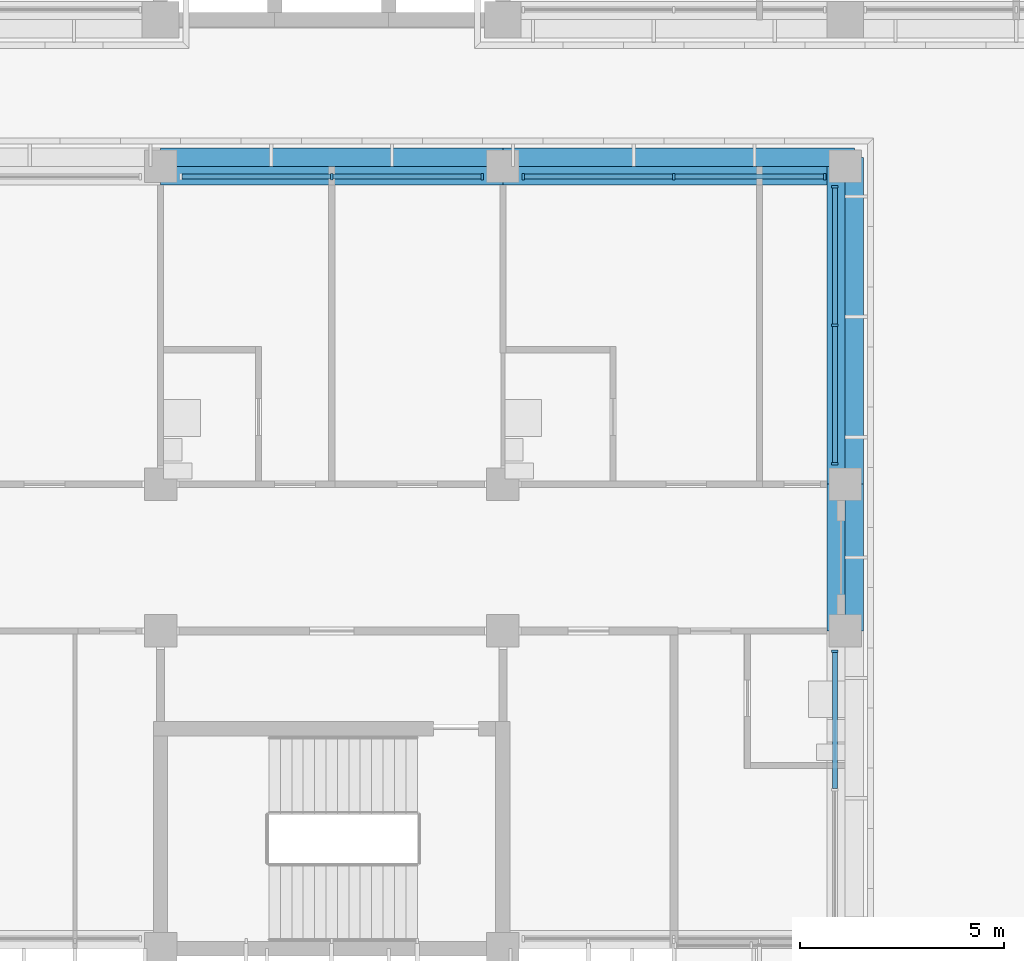
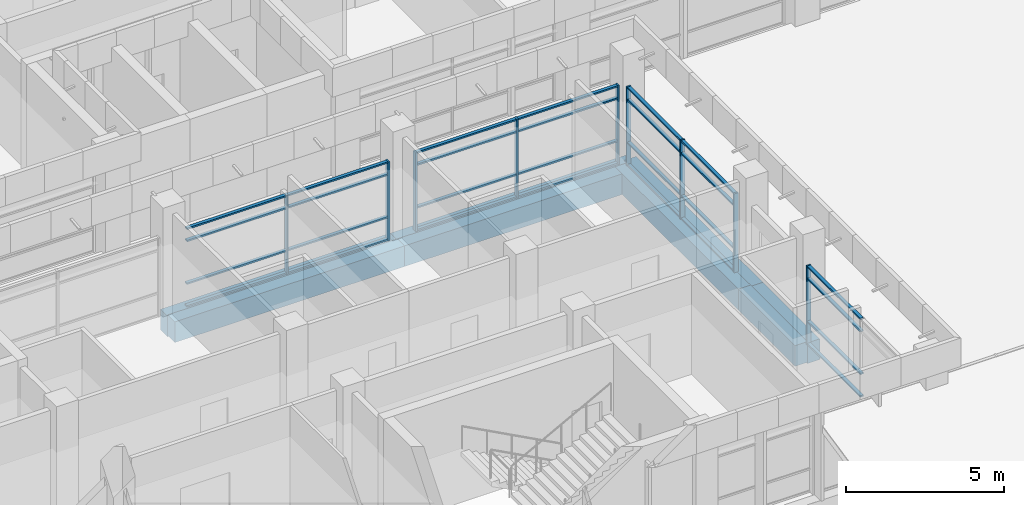
# One storey, part 32 of 137: 37 members, 8 beams, 4 elements without a shape of their own.
"""IFC4 building model written with IfcOpenShell, lengths in metres."""

from ifc_helpers import new_model, si_unit, direction, frame, origin, origin_2d, place, context, subcontext, project, spatial, rectangle, extrude, material, material_profile, profile_set, type_object, element, aggregate, save


model = new_model("IFC4")

# Units and contexts
model_context = context("Model", 3, precision=1e-05, world=origin(), true_north=direction((0.0, 1.0)))
body_context = subcontext(model_context, "Body", "Model", "MODEL_VIEW")
ifc_project = project(units=[si_unit("LENGTHUNIT", "METRE"), si_unit("AREAUNIT", "SQUARE_METRE"), si_unit("VOLUMEUNIT", "CUBIC_METRE"), si_unit("PLANEANGLEUNIT", "RADIAN"), si_unit("MASSUNIT", "GRAM", prefix="KILO")], contexts=[model_context])

# Site, building, storey
site_placement = place(None, origin())
site = spatial("IfcSite", under=ifc_project, at=site_placement, CompositionType="ELEMENT")
building_placement = place(site_placement, origin())
building = spatial("IfcBuilding", under=site, at=building_placement, Name="Bougainvillea Quay General Hospital", CompositionType="ELEMENT")
storey_placement = place(building_placement, frame((0.0, 0.0, 16.800048828125)))
storey = spatial("IfcBuildingStorey", under=building, at=storey_placement, Name="L03", CompositionType="ELEMENT", Elevation=16.800048828125)

# Curtain wall, member
ifc_material_1 = material(Name="Aluminium curtain wall system, powder-coated glazed", Category="aluminium")
curtain_wall_type_1 = type_object("IfcCurtainWallType", Name="Unitised curtain wall CW-3430", PredefinedType="NOTDEFINED", material=ifc_material_1)
curtain_wall_1_placement = place(storey_placement, origin())
curtain_wall_1 = element("IfcCurtainWall", 1, at=curtain_wall_1_placement, inside=storey, type_object=curtain_wall_type_1, Name="CW-4200 00", PredefinedType="NOTDEFINED")
ifc_material_2 = material(Name="Aluminium mullion, powder-coated charcoal", Category="aluminium")
ifc_material_profile_1 = material_profile(ifc_material_2, rectangle(XDim=0.159912109375, YDim=0.06005859375, at=origin_2d()))
ifc_profile_set_1 = profile_set([ifc_material_profile_1], Name="Aluminium mullion, powder-coated charcoal")
member_type_1 = type_object("IfcMemberType", Name="Curtain wall mullion 160x60", PredefinedType="MULLION", material=ifc_profile_set_1)
member_1_placement = place(storey_placement, frame((167.75, 124.89990234375, 0.0), z_axis=(0.0, 0.0, 1.0), x_axis=(-1.0, 0.0, 0.0)))
member_1 = element("IfcMember", 2, at=member_1_placement, type_object=member_type_1, Name="CW-4200 mullion 3", PredefinedType="MULLION", context=body_context, shape_type="SweptSolid", body=[
    extrude(rectangle(XDim=0.159912109375, YDim=0.06005859375, at=origin_2d()), origin(), (0.0, 0.0, 1.0), 3.050048828125),
])

# Curtain wall, members
curtain_wall_2_placement = place(storey_placement, origin())
curtain_wall_2 = element("IfcCurtainWall", 3, at=curtain_wall_2_placement, inside=storey, type_object=curtain_wall_type_1, Name="CW-4200 02", PredefinedType="NOTDEFINED")
member_2_placement = place(storey_placement, frame((167.75, 129.5, 0.0), z_axis=(0.0, 0.0, 1.0), x_axis=(-1.0, 0.0, 0.0)))
member_2 = element("IfcMember", 4, at=member_2_placement, type_object=member_type_1, Name="CW-4200 mullion 1", PredefinedType="MULLION", context=body_context, shape_type="SweptSolid", body=[
    extrude(rectangle(XDim=0.159912109375, YDim=0.06005859375, at=origin_2d()), origin(), (0.0, 0.0, 1.0), 3.050048828125),
])
member_3_placement = place(storey_placement, frame((167.75, 132.89990234375, 0.0), z_axis=(0.0, 0.0, 1.0), x_axis=(-1.0, 0.0, 0.0)))
member_3 = element("IfcMember", 5, at=member_3_placement, type_object=member_type_1, Name="CW-4200 mullion 2", PredefinedType="MULLION", context=body_context, shape_type="SweptSolid", body=[
    extrude(rectangle(XDim=0.159912109375, YDim=0.06005859375, at=origin_2d()), origin(), (0.0, 0.0, 1.0), 3.050048828125),
])
member_4_placement = place(storey_placement, frame((167.75, 136.300048828125, 0.0), z_axis=(0.0, 0.0, 1.0), x_axis=(-1.0, 0.0, 0.0)))
member_4 = element("IfcMember", 6, at=member_4_placement, type_object=member_type_1, Name="CW-4200 mullion 3", PredefinedType="MULLION", context=body_context, shape_type="SweptSolid", body=[
    extrude(rectangle(XDim=0.159912109375, YDim=0.06005859375, at=origin_2d()), origin(), (0.0, 0.0, 1.0), 3.050048828125),
])

curtain_wall_type_2 = type_object("IfcCurtainWallType", Name="Unitised curtain wall CW-3730", PredefinedType="NOTDEFINED", material=ifc_material_1)
curtain_wall_3_placement = place(storey_placement, origin())
curtain_wall_3 = element("IfcCurtainWall", 7, at=curtain_wall_3_placement, inside=storey, type_object=curtain_wall_type_2, Name="CW-4200 00", PredefinedType="NOTDEFINED")
member_5_placement = place(storey_placement, frame((167.5, 136.550048828125, 0.0), z_axis=(0.0, 0.0, 1.0), x_axis=(0.0, -1.0, 0.0)))
member_5 = element("IfcMember", 8, at=member_5_placement, type_object=member_type_1, Name="CW-4200 mullion 1", PredefinedType="MULLION", context=body_context, shape_type="SweptSolid", body=[
    extrude(rectangle(XDim=0.159912109375, YDim=0.06005859375, at=origin_2d()), origin(), (0.0, 0.0, 1.0), 3.050048828125),
])
member_6_placement = place(storey_placement, frame((163.800048828125, 136.550048828125, 0.0), z_axis=(0.0, 0.0, 1.0), x_axis=(0.0, -1.0, 0.0)))
member_6 = element("IfcMember", 9, at=member_6_placement, type_object=member_type_1, Name="CW-4200 mullion 2", PredefinedType="MULLION", context=body_context, shape_type="SweptSolid", body=[
    extrude(rectangle(XDim=0.159912109375, YDim=0.06005859375, at=origin_2d()), origin(), (0.0, 0.0, 1.0), 3.050048828125),
])
member_7_placement = place(storey_placement, frame((160.10009765625, 136.550048828125, 0.0), z_axis=(0.0, 0.0, 1.0), x_axis=(0.0, -1.0, 0.0)))
member_7 = element("IfcMember", 10, at=member_7_placement, type_object=member_type_1, Name="CW-4200 mullion 3", PredefinedType="MULLION", context=body_context, shape_type="SweptSolid", body=[
    extrude(rectangle(XDim=0.159912109375, YDim=0.06005859375, at=origin_2d()), origin(), (0.0, 0.0, 1.0), 3.050048828125),
])

curtain_wall_4_placement = place(storey_placement, origin())
curtain_wall_4 = element("IfcCurtainWall", 11, at=curtain_wall_4_placement, inside=storey, type_object=curtain_wall_type_2, Name="CW-4200 01", PredefinedType="NOTDEFINED")
member_8_placement = place(storey_placement, frame((159.10009765625, 136.550048828125, 0.0), z_axis=(0.0, 0.0, 1.0), x_axis=(0.0, -1.0, 0.0)))
member_8 = element("IfcMember", 12, at=member_8_placement, type_object=member_type_1, Name="CW-4200 mullion 1", PredefinedType="MULLION", context=body_context, shape_type="SweptSolid", body=[
    extrude(rectangle(XDim=0.159912109375, YDim=0.06005859375, at=origin_2d()), origin(), (0.0, 0.0, 1.0), 3.050048828125),
])
member_9_placement = place(storey_placement, frame((155.39990234375, 136.550048828125, 0.0), z_axis=(0.0, 0.0, 1.0), x_axis=(0.0, -1.0, 0.0)))
member_9 = element("IfcMember", 13, at=member_9_placement, type_object=member_type_1, Name="CW-4200 mullion 2", PredefinedType="MULLION", context=body_context, shape_type="SweptSolid", body=[
    extrude(rectangle(XDim=0.159912109375, YDim=0.06005859375, at=origin_2d()), origin(), (0.0, 0.0, 1.0), 3.050048828125),
])

# Member
ifc_material_3 = material(Name="Aluminium transom, powder-coated charcoal", Category="aluminium")
ifc_material_profile_2 = material_profile(ifc_material_3, rectangle(XDim=0.1201171875, YDim=0.06005859375, at=origin_2d()))
ifc_profile_set_2 = profile_set([ifc_material_profile_2], Name="Aluminium transom, powder-coated charcoal")
member_type_2 = type_object("IfcMemberType", Name="Curtain wall transom 120x60", PredefinedType="USERDEFINED", material=ifc_profile_set_2)
member_10_placement = place(storey_placement, frame((167.75, 121.530029296875, 0.030029296875), z_axis=(0.0, 1.0, 0.0), x_axis=(-1.0, 0.0, 0.0)))
member_10 = element("IfcMember", 14, at=member_10_placement, type_object=member_type_2, Name="CW-4200 transom 2.1", ObjectType="TRANSOM", PredefinedType="USERDEFINED", context=body_context, shape_type="SweptSolid", body=[
    extrude(rectangle(XDim=0.1201171875, YDim=0.06005859375, at=origin_2d()), origin(), (0.0, 0.0, 1.0), 3.340087890625),
])

member_11_placement = place(storey_placement, frame((167.75, 121.530029296875, 0.89990234375), z_axis=(0.0, 1.0, 0.0), x_axis=(-1.0, 0.0, 0.0)))
member_11 = element("IfcMember", 15, at=member_11_placement, type_object=member_type_2, Name="CW-4200 transom 2.2", ObjectType="TRANSOM", PredefinedType="USERDEFINED", context=body_context, shape_type="SweptSolid", body=[
    extrude(rectangle(XDim=0.1201171875, YDim=0.06005859375, at=origin_2d()), origin(), (0.0, 0.0, 1.0), 3.340087890625),
])

member_12_placement = place(storey_placement, frame((167.75, 121.530029296875, 2.550048828125), z_axis=(0.0, 1.0, 0.0), x_axis=(-1.0, 0.0, 0.0)))
member_12 = element("IfcMember", 16, at=member_12_placement, type_object=member_type_2, Name="CW-4200 transom 2.3", ObjectType="TRANSOM", PredefinedType="USERDEFINED", context=body_context, shape_type="SweptSolid", body=[
    extrude(rectangle(XDim=0.1201171875, YDim=0.06005859375, at=origin_2d()), origin(), (0.0, 0.0, 1.0), 3.340087890625),
])

member_13_placement = place(storey_placement, frame((167.75, 121.530029296875, 3.02001953125), z_axis=(0.0, 1.0, 0.0), x_axis=(-1.0, 0.0, 0.0)))
member_13 = element("IfcMember", 17, at=member_13_placement, type_object=member_type_2, Name="CW-4200 transom 2.4", ObjectType="TRANSOM", PredefinedType="USERDEFINED", context=body_context, shape_type="SweptSolid", body=[
    extrude(rectangle(XDim=0.1201171875, YDim=0.06005859375, at=origin_2d()), origin(), (0.0, 0.0, 1.0), 3.340087890625),
])

aggregate(curtain_wall_1, [member_1, member_10, member_11, member_12, member_13])

member_14_placement = place(storey_placement, frame((167.75, 129.530029296875, 0.030029296875), z_axis=(0.0, 1.0, 0.0), x_axis=(-1.0, 0.0, 0.0)))
member_14 = element("IfcMember", 18, at=member_14_placement, type_object=member_type_2, Name="CW-4200 transom 1.1", ObjectType="TRANSOM", PredefinedType="USERDEFINED", context=body_context, shape_type="SweptSolid", body=[
    extrude(rectangle(XDim=0.1201171875, YDim=0.06005859375, at=origin_2d()), origin(), (0.0, 0.0, 1.0), 3.340087890625),
])

member_15_placement = place(storey_placement, frame((167.75, 129.530029296875, 0.89990234375), z_axis=(0.0, 1.0, 0.0), x_axis=(-1.0, 0.0, 0.0)))
member_15 = element("IfcMember", 19, at=member_15_placement, type_object=member_type_2, Name="CW-4200 transom 1.2", ObjectType="TRANSOM", PredefinedType="USERDEFINED", context=body_context, shape_type="SweptSolid", body=[
    extrude(rectangle(XDim=0.1201171875, YDim=0.06005859375, at=origin_2d()), origin(), (0.0, 0.0, 1.0), 3.340087890625),
])

member_16_placement = place(storey_placement, frame((167.75, 129.530029296875, 2.550048828125), z_axis=(0.0, 1.0, 0.0), x_axis=(-1.0, 0.0, 0.0)))
member_16 = element("IfcMember", 20, at=member_16_placement, type_object=member_type_2, Name="CW-4200 transom 1.3", ObjectType="TRANSOM", PredefinedType="USERDEFINED", context=body_context, shape_type="SweptSolid", body=[
    extrude(rectangle(XDim=0.1201171875, YDim=0.06005859375, at=origin_2d()), origin(), (0.0, 0.0, 1.0), 3.340087890625),
])

member_17_placement = place(storey_placement, frame((167.75, 129.530029296875, 3.02001953125), z_axis=(0.0, 1.0, 0.0), x_axis=(-1.0, 0.0, 0.0)))
member_17 = element("IfcMember", 21, at=member_17_placement, type_object=member_type_2, Name="CW-4200 transom 1.4", ObjectType="TRANSOM", PredefinedType="USERDEFINED", context=body_context, shape_type="SweptSolid", body=[
    extrude(rectangle(XDim=0.1201171875, YDim=0.06005859375, at=origin_2d()), origin(), (0.0, 0.0, 1.0), 3.340087890625),
])

member_18_placement = place(storey_placement, frame((167.75, 132.929931640625, 0.030029296875), z_axis=(0.0, 1.0, 0.0), x_axis=(-1.0, 0.0, 0.0)))
member_18 = element("IfcMember", 22, at=member_18_placement, type_object=member_type_2, Name="CW-4200 transom 2.1", ObjectType="TRANSOM", PredefinedType="USERDEFINED", context=body_context, shape_type="SweptSolid", body=[
    extrude(rectangle(XDim=0.1201171875, YDim=0.06005859375, at=origin_2d()), origin(), (0.0, 0.0, 1.0), 3.340087890625),
])

member_19_placement = place(storey_placement, frame((167.75, 132.929931640625, 0.89990234375), z_axis=(0.0, 1.0, 0.0), x_axis=(-1.0, 0.0, 0.0)))
member_19 = element("IfcMember", 23, at=member_19_placement, type_object=member_type_2, Name="CW-4200 transom 2.2", ObjectType="TRANSOM", PredefinedType="USERDEFINED", context=body_context, shape_type="SweptSolid", body=[
    extrude(rectangle(XDim=0.1201171875, YDim=0.06005859375, at=origin_2d()), origin(), (0.0, 0.0, 1.0), 3.340087890625),
])

member_20_placement = place(storey_placement, frame((167.75, 132.929931640625, 2.550048828125), z_axis=(0.0, 1.0, 0.0), x_axis=(-1.0, 0.0, 0.0)))
member_20 = element("IfcMember", 24, at=member_20_placement, type_object=member_type_2, Name="CW-4200 transom 2.3", ObjectType="TRANSOM", PredefinedType="USERDEFINED", context=body_context, shape_type="SweptSolid", body=[
    extrude(rectangle(XDim=0.1201171875, YDim=0.06005859375, at=origin_2d()), origin(), (0.0, 0.0, 1.0), 3.340087890625),
])

member_21_placement = place(storey_placement, frame((167.75, 132.929931640625, 3.02001953125), z_axis=(0.0, 1.0, 0.0), x_axis=(-1.0, 0.0, 0.0)))
member_21 = element("IfcMember", 25, at=member_21_placement, type_object=member_type_2, Name="CW-4200 transom 2.4", ObjectType="TRANSOM", PredefinedType="USERDEFINED", context=body_context, shape_type="SweptSolid", body=[
    extrude(rectangle(XDim=0.1201171875, YDim=0.06005859375, at=origin_2d()), origin(), (0.0, 0.0, 1.0), 3.340087890625),
])

aggregate(curtain_wall_2, [member_2, member_3, member_4, member_14, member_15, member_16, member_17, member_18, member_19, member_20, member_21])

member_22_placement = place(storey_placement, frame((167.469970703125, 136.550048828125, 0.030029296875), z_axis=(-1.0, 0.0, 0.0), x_axis=(0.0, -1.0, 0.0)))
member_22 = element("IfcMember", 26, at=member_22_placement, type_object=member_type_2, Name="CW-4200 transom 1.1", ObjectType="TRANSOM", PredefinedType="USERDEFINED", context=body_context, shape_type="SweptSolid", body=[
    extrude(rectangle(XDim=0.1201171875, YDim=0.06005859375, at=origin_2d()), origin(), (0.0, 0.0, 1.0), 3.639892578125),
])

member_23_placement = place(storey_placement, frame((167.469970703125, 136.550048828125, 0.89990234375), z_axis=(-1.0, 0.0, 0.0), x_axis=(0.0, -1.0, 0.0)))
member_23 = element("IfcMember", 27, at=member_23_placement, type_object=member_type_2, Name="CW-4200 transom 1.2", ObjectType="TRANSOM", PredefinedType="USERDEFINED", context=body_context, shape_type="SweptSolid", body=[
    extrude(rectangle(XDim=0.1201171875, YDim=0.06005859375, at=origin_2d()), origin(), (0.0, 0.0, 1.0), 3.639892578125),
])

member_24_placement = place(storey_placement, frame((167.469970703125, 136.550048828125, 2.550048828125), z_axis=(-1.0, 0.0, 0.0), x_axis=(0.0, -1.0, 0.0)))
member_24 = element("IfcMember", 28, at=member_24_placement, type_object=member_type_2, Name="CW-4200 transom 1.3", ObjectType="TRANSOM", PredefinedType="USERDEFINED", context=body_context, shape_type="SweptSolid", body=[
    extrude(rectangle(XDim=0.1201171875, YDim=0.06005859375, at=origin_2d()), origin(), (0.0, 0.0, 1.0), 3.639892578125),
])

member_25_placement = place(storey_placement, frame((167.469970703125, 136.550048828125, 3.02001953125), z_axis=(-1.0, 0.0, 0.0), x_axis=(0.0, -1.0, 0.0)))
member_25 = element("IfcMember", 29, at=member_25_placement, type_object=member_type_2, Name="CW-4200 transom 1.4", ObjectType="TRANSOM", PredefinedType="USERDEFINED", context=body_context, shape_type="SweptSolid", body=[
    extrude(rectangle(XDim=0.1201171875, YDim=0.06005859375, at=origin_2d()), origin(), (0.0, 0.0, 1.0), 3.639892578125),
])

member_26_placement = place(storey_placement, frame((163.77001953125, 136.550048828125, 0.030029296875), z_axis=(-1.0, 0.0, 0.0), x_axis=(0.0, -1.0, 0.0)))
member_26 = element("IfcMember", 30, at=member_26_placement, type_object=member_type_2, Name="CW-4200 transom 2.1", ObjectType="TRANSOM", PredefinedType="USERDEFINED", context=body_context, shape_type="SweptSolid", body=[
    extrude(rectangle(XDim=0.1201171875, YDim=0.06005859375, at=origin_2d()), origin(), (0.0, 0.0, 1.0), 3.64013671875),
])

member_27_placement = place(storey_placement, frame((163.77001953125, 136.550048828125, 0.89990234375), z_axis=(-1.0, 0.0, 0.0), x_axis=(0.0, -1.0, 0.0)))
member_27 = element("IfcMember", 31, at=member_27_placement, type_object=member_type_2, Name="CW-4200 transom 2.2", ObjectType="TRANSOM", PredefinedType="USERDEFINED", context=body_context, shape_type="SweptSolid", body=[
    extrude(rectangle(XDim=0.1201171875, YDim=0.06005859375, at=origin_2d()), origin(), (0.0, 0.0, 1.0), 3.64013671875),
])

member_28_placement = place(storey_placement, frame((163.77001953125, 136.550048828125, 2.550048828125), z_axis=(-1.0, 0.0, 0.0), x_axis=(0.0, -1.0, 0.0)))
member_28 = element("IfcMember", 32, at=member_28_placement, type_object=member_type_2, Name="CW-4200 transom 2.3", ObjectType="TRANSOM", PredefinedType="USERDEFINED", context=body_context, shape_type="SweptSolid", body=[
    extrude(rectangle(XDim=0.1201171875, YDim=0.06005859375, at=origin_2d()), origin(), (0.0, 0.0, 1.0), 3.64013671875),
])

member_29_placement = place(storey_placement, frame((163.77001953125, 136.550048828125, 3.02001953125), z_axis=(-1.0, 0.0, 0.0), x_axis=(0.0, -1.0, 0.0)))
member_29 = element("IfcMember", 33, at=member_29_placement, type_object=member_type_2, Name="CW-4200 transom 2.4", ObjectType="TRANSOM", PredefinedType="USERDEFINED", context=body_context, shape_type="SweptSolid", body=[
    extrude(rectangle(XDim=0.1201171875, YDim=0.06005859375, at=origin_2d()), origin(), (0.0, 0.0, 1.0), 3.64013671875),
])

aggregate(curtain_wall_3, [member_5, member_6, member_7, member_22, member_23, member_24, member_25, member_26, member_27, member_28, member_29])

member_30_placement = place(storey_placement, frame((159.070068359375, 136.550048828125, 0.030029296875), z_axis=(-1.0, 0.0, 0.0), x_axis=(0.0, -1.0, 0.0)))
member_30 = element("IfcMember", 34, at=member_30_placement, type_object=member_type_2, Name="CW-4200 transom 1.1", ObjectType="TRANSOM", PredefinedType="USERDEFINED", context=body_context, shape_type="SweptSolid", body=[
    extrude(rectangle(XDim=0.1201171875, YDim=0.06005859375, at=origin_2d()), origin(), (0.0, 0.0, 1.0), 3.64013671875),
])

member_31_placement = place(storey_placement, frame((159.070068359375, 136.550048828125, 0.89990234375), z_axis=(-1.0, 0.0, 0.0), x_axis=(0.0, -1.0, 0.0)))
member_31 = element("IfcMember", 35, at=member_31_placement, type_object=member_type_2, Name="CW-4200 transom 1.2", ObjectType="TRANSOM", PredefinedType="USERDEFINED", context=body_context, shape_type="SweptSolid", body=[
    extrude(rectangle(XDim=0.1201171875, YDim=0.06005859375, at=origin_2d()), origin(), (0.0, 0.0, 1.0), 3.64013671875),
])

member_32_placement = place(storey_placement, frame((159.070068359375, 136.550048828125, 2.550048828125), z_axis=(-1.0, 0.0, 0.0), x_axis=(0.0, -1.0, 0.0)))
member_32 = element("IfcMember", 36, at=member_32_placement, type_object=member_type_2, Name="CW-4200 transom 1.3", ObjectType="TRANSOM", PredefinedType="USERDEFINED", context=body_context, shape_type="SweptSolid", body=[
    extrude(rectangle(XDim=0.1201171875, YDim=0.06005859375, at=origin_2d()), origin(), (0.0, 0.0, 1.0), 3.64013671875),
])

member_33_placement = place(storey_placement, frame((159.070068359375, 136.550048828125, 3.02001953125), z_axis=(-1.0, 0.0, 0.0), x_axis=(0.0, -1.0, 0.0)))
member_33 = element("IfcMember", 37, at=member_33_placement, type_object=member_type_2, Name="CW-4200 transom 1.4", ObjectType="TRANSOM", PredefinedType="USERDEFINED", context=body_context, shape_type="SweptSolid", body=[
    extrude(rectangle(XDim=0.1201171875, YDim=0.06005859375, at=origin_2d()), origin(), (0.0, 0.0, 1.0), 3.64013671875),
])

member_34_placement = place(storey_placement, frame((155.3701171875, 136.550048828125, 0.030029296875), z_axis=(-1.0, 0.0, 0.0), x_axis=(0.0, -1.0, 0.0)))
member_34 = element("IfcMember", 38, at=member_34_placement, type_object=member_type_2, Name="CW-4200 transom 2.1", ObjectType="TRANSOM", PredefinedType="USERDEFINED", context=body_context, shape_type="SweptSolid", body=[
    extrude(rectangle(XDim=0.1201171875, YDim=0.06005859375, at=origin_2d()), origin(), (0.0, 0.0, 1.0), 3.64013671875),
])

member_35_placement = place(storey_placement, frame((155.3701171875, 136.550048828125, 0.89990234375), z_axis=(-1.0, 0.0, 0.0), x_axis=(0.0, -1.0, 0.0)))
member_35 = element("IfcMember", 39, at=member_35_placement, type_object=member_type_2, Name="CW-4200 transom 2.2", ObjectType="TRANSOM", PredefinedType="USERDEFINED", context=body_context, shape_type="SweptSolid", body=[
    extrude(rectangle(XDim=0.1201171875, YDim=0.06005859375, at=origin_2d()), origin(), (0.0, 0.0, 1.0), 3.64013671875),
])

member_36_placement = place(storey_placement, frame((155.3701171875, 136.550048828125, 2.550048828125), z_axis=(-1.0, 0.0, 0.0), x_axis=(0.0, -1.0, 0.0)))
member_36 = element("IfcMember", 40, at=member_36_placement, type_object=member_type_2, Name="CW-4200 transom 2.3", ObjectType="TRANSOM", PredefinedType="USERDEFINED", context=body_context, shape_type="SweptSolid", body=[
    extrude(rectangle(XDim=0.1201171875, YDim=0.06005859375, at=origin_2d()), origin(), (0.0, 0.0, 1.0), 3.64013671875),
])

member_37_placement = place(storey_placement, frame((155.3701171875, 136.550048828125, 3.02001953125), z_axis=(-1.0, 0.0, 0.0), x_axis=(0.0, -1.0, 0.0)))
member_37 = element("IfcMember", 41, at=member_37_placement, type_object=member_type_2, Name="CW-4200 transom 2.4", ObjectType="TRANSOM", PredefinedType="USERDEFINED", context=body_context, shape_type="SweptSolid", body=[
    extrude(rectangle(XDim=0.1201171875, YDim=0.06005859375, at=origin_2d()), origin(), (0.0, 0.0, 1.0), 3.64013671875),
])

aggregate(curtain_wall_4, [member_8, member_9, member_30, member_31, member_32, member_33, member_34, member_35, member_36, member_37])

# Beams
ifc_material_4 = material(Name="Concrete C40", Category="concrete")
ifc_material_profile_3 = material_profile(ifc_material_4, rectangle(XDim=0.449951171875, YDim=0.800048828125, at=origin_2d()))
ifc_profile_set_3 = profile_set([ifc_material_profile_3], Name="Concrete C40")
beam_type = type_object("IfcBeamType", Name="RC BEAM 450x800 C40", PredefinedType="BEAM", material=ifc_profile_set_3)
beam_1_placement = place(storey_placement, frame((167.77490234375, 125.39990234375, -0.699951171875), z_axis=(0.0, 1.0, 0.0), x_axis=(-1.0, 0.0, 0.0)))
element("IfcBeam", 42, at=beam_1_placement, inside=storey, type_object=beam_type, Name="Edge beam L03", PredefinedType="BEAM", context=body_context, shape_type="SweptSolid", body=[
    extrude(rectangle(XDim=0.449951171875, YDim=0.800048828125, at=origin_2d()), origin(), (0.0, 0.0, 1.0), 3.60009765625),
])
beam_2_placement = place(storey_placement, frame((167.77490234375, 129.0, -0.699951171875), z_axis=(0.0, 1.0, 0.0), x_axis=(-1.0, 0.0, 0.0)))
element("IfcBeam", 43, at=beam_2_placement, inside=storey, type_object=beam_type, Name="Edge beam L03", PredefinedType="BEAM", context=body_context, shape_type="SweptSolid", body=[
    extrude(rectangle(XDim=0.449951171875, YDim=0.800048828125, at=origin_2d()), origin(), (0.0, 0.0, 1.0), 7.800048828125),
])
beam_3_placement = place(storey_placement, frame((168.0, 136.574951171875, -0.699951171875), z_axis=(-1.0, 0.0, 0.0), x_axis=(0.0, -1.0, 0.0)))
element("IfcBeam", 44, at=beam_3_placement, inside=storey, type_object=beam_type, Name="Edge beam L03", PredefinedType="BEAM", context=body_context, shape_type="SweptSolid", body=[
    extrude(rectangle(XDim=0.449951171875, YDim=0.800048828125, at=origin_2d()), origin(), (0.0, 0.0, 1.0), 8.39990234375),
])
for number, where, z_axis, x_axis, name in (
    (45, (159.60009765625, 136.574951171875, -0.699951171875), (-1.0, 0.0, 0.0), (0.0, -1.0, 0.0), "Edge beam L03"),
    (46, (151.199951171875, 137.02490234375, -0.75), (1.0, 0.0, 0.0), (0.0, 1.0, 0.0), "Edge beam L03"),
):
    element("IfcBeam", number, at=place(storey_placement, frame(where, z_axis=z_axis, x_axis=x_axis)), inside=storey, type_object=beam_type, Name=name, PredefinedType="BEAM", context=body_context, shape_type="SweptSolid", body=[
        extrude(rectangle(XDim=0.449951171875, YDim=0.800048828125, at=origin_2d()), origin(), (0.0, 0.0, 1.0), 8.400146484375),
    ])
beam_4_placement = place(storey_placement, frame((159.60009765625, 137.02490234375, -0.75), z_axis=(1.0, 0.0, 0.0), x_axis=(0.0, 1.0, 0.0)))
element("IfcBeam", 47, at=beam_4_placement, inside=storey, type_object=beam_type, Name="Edge beam L03", PredefinedType="BEAM", context=body_context, shape_type="SweptSolid", body=[
    extrude(rectangle(XDim=0.449951171875, YDim=0.800048828125, at=origin_2d()), origin(), (0.0, 0.0, 1.0), 8.625),
])
beam_5_placement = place(storey_placement, frame((168.22509765625, 137.02490234375, -0.75), z_axis=(0.0, -1.0, 0.0), x_axis=(1.0, 0.0, 0.0)))
element("IfcBeam", 48, at=beam_5_placement, inside=storey, type_object=beam_type, Name="Edge beam L03", PredefinedType="BEAM", context=body_context, shape_type="SweptSolid", body=[
    extrude(rectangle(XDim=0.449951171875, YDim=0.800048828125, at=origin_2d()), origin(), (0.0, 0.0, 1.0), 8.02490234375),
])
beam_6_placement = place(storey_placement, frame((168.22509765625, 129.0, -0.75), z_axis=(0.0, -1.0, 0.0), x_axis=(1.0, 0.0, 0.0)))
element("IfcBeam", 49, at=beam_6_placement, inside=storey, type_object=beam_type, Name="Edge beam L03", PredefinedType="BEAM", context=body_context, shape_type="SweptSolid", body=[
    extrude(rectangle(XDim=0.449951171875, YDim=0.800048828125, at=origin_2d()), origin(), (0.0, 0.0, 1.0), 3.60009765625),
])

save(model, "model.ifc")
